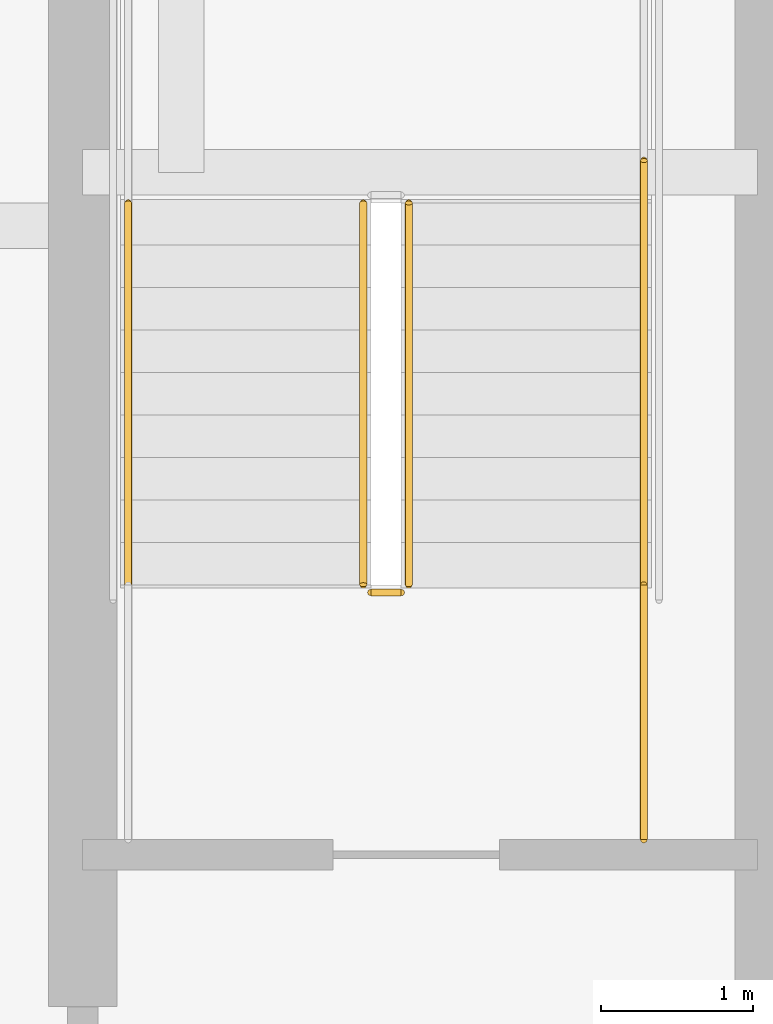
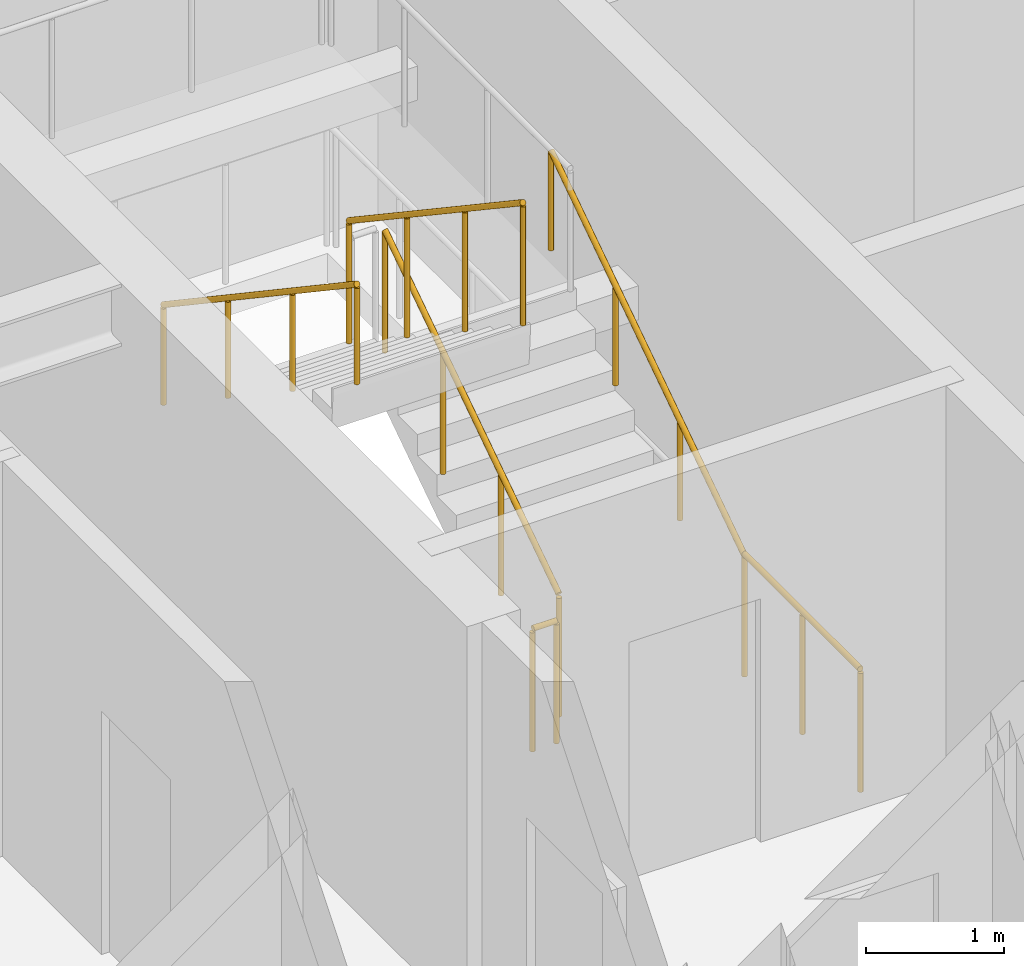
# One storey, part 36 of 41: 6 railings.
"""IFC4 building model written with IfcOpenShell, lengths in metres."""

from ifc_helpers import new_model, si_unit, direction, frame, origin, origin_2d, place, context, subcontext, project, spatial, circle, extrude, material, type_object, element, save


model = new_model("IFC4")

# Units and contexts
model_context = context("Model", 3, precision=1e-05, world=origin(), true_north=direction((0.0, 1.0)))
body_context = subcontext(model_context, "Body", "Model", "MODEL_VIEW")
ifc_project = project(units=[si_unit("LENGTHUNIT", "METRE"), si_unit("AREAUNIT", "SQUARE_METRE"), si_unit("VOLUMEUNIT", "CUBIC_METRE"), si_unit("PLANEANGLEUNIT", "RADIAN"), si_unit("MASSUNIT", "GRAM", prefix="KILO")], contexts=[model_context])

# Site, building, storey
site_placement = place(None, origin())
site = spatial("IfcSite", under=ifc_project, at=site_placement, CompositionType="ELEMENT")
building_placement = place(site_placement, origin())
building = spatial("IfcBuilding", under=site, at=building_placement, Name="Serunith Strait Residences", CompositionType="ELEMENT")
storey_placement = place(building_placement, frame((0.0, 0.0, 45.449951171875)))
storey = spatial("IfcBuildingStorey", under=building, at=storey_placement, Name="L10", CompositionType="ELEMENT", Elevation=45.449951171875)

# Railings
ifc_material = material(Name="Brushed stainless steel 316L", Category="steel")
railing_type_1 = type_object("IfcRailingType", Name="RLG-STAIR-GUARD", PredefinedType="BALUSTRADE", material=ifc_material)
railing_1_placement = place(storey_placement, frame((25.550048828125, 27.030029296875, 0.1875)))
element("IfcRailing", 1, at=railing_1_placement, inside=storey, type_object=railing_type_1, Name="L10 ST-1 stair guard 1", PredefinedType="BALUSTRADE", context=body_context, shape_type="SweptSolid", body=[
    extrude(circle(Radius=0.02392578125, at=origin_2d()), frame((0.0, 0.001708984375, 1.0771484375), z_axis=(0.0, 0.830909170722, 0.55640807867), x_axis=(-1.0, 0.0, 0.0)), (0.0, 0.0, 1.0), 3.02880859375),
    extrude(circle(Radius=0.02099609375, at=origin_2d()), origin(), (0.0, 0.0, 1.0), 1.050048828125),
    extrude(circle(Radius=0.02099609375, at=origin_2d()), frame((0.0, 0.840087890625, 0.5625)), (0.0, 0.0, 1.0), 1.050048828125),
    extrude(circle(Radius=0.02099609375, at=origin_2d()), frame((0.0, 1.679931640625, 1.125)), (0.0, 0.0, 1.0), 1.050048828125),
    extrude(circle(Radius=0.02099609375, at=origin_2d()), frame((0.0, 2.52001953125, 1.6875)), (0.0, 0.0, 1.0), 1.050048828125),
])
railing_2_placement = place(storey_placement, frame((25.25, 29.550048828125, 2.0625)))
element("IfcRailing", 2, at=railing_2_placement, inside=storey, type_object=railing_type_1, Name="L10 ST-1 stair guard 6", PredefinedType="BALUSTRADE", context=body_context, shape_type="SweptSolid", body=[
    extrude(circle(Radius=0.02392578125, at=origin_2d()), frame((0.0, -0.001708984375, 1.0771484375), z_axis=(0.0, -0.830909170722, 0.55640807867), x_axis=(1.0, 0.0, 0.0)), (0.0, 0.0, 1.0), 3.02880859375),
    extrude(circle(Radius=0.02099609375, at=origin_2d()), origin(), (0.0, 0.0, 1.0), 1.050048828125),
    extrude(circle(Radius=0.02099609375, at=origin_2d()), frame((0.0, -0.840087890625, 0.5625)), (0.0, 0.0, 1.0), 1.050048828125),
    extrude(circle(Radius=0.02099609375, at=origin_2d()), frame((0.0, -1.679931640625, 1.125)), (0.0, 0.0, 1.0), 1.050048828125),
    extrude(circle(Radius=0.02099609375, at=origin_2d()), frame((0.0, -2.52001953125, 1.6875)), (0.0, 0.0, 1.0), 1.050048828125),
])
railing_3_placement = place(storey_placement, frame((25.5, 26.97998046875, 0.0)))
element("IfcRailing", 3, at=railing_3_placement, inside=storey, type_object=railing_type_1, Name="L10 ST-1 stair guard 7", PredefinedType="BALUSTRADE", context=body_context, shape_type="SweptSolid", body=[
    extrude(circle(Radius=0.02392578125, at=origin_2d()), frame((-0.001953125, 0.0, 1.076171875), z_axis=(-1.0, 0.0, 0.0), x_axis=(0.0, -1.0, 0.0)), (0.0, 0.0, 1.0), 0.196044921875),
    extrude(circle(Radius=0.02099609375, at=origin_2d()), origin(), (0.0, 0.0, 1.0), 1.050048828125),
    extrude(circle(Radius=0.02099609375, at=origin_2d()), frame((-0.199951171875, 0.0, 0.0)), (0.0, 0.0, 1.0), 1.050048828125),
])
railing_4_placement = place(storey_placement, frame((27.10009765625, 25.35009765625, 0.0)))
element("IfcRailing", 4, at=railing_4_placement, inside=storey, type_object=railing_type_1, Name="L10 ST-1 stair guard 8", PredefinedType="BALUSTRADE", context=body_context, shape_type="SweptSolid", body=[
    extrude(circle(Radius=0.02392578125, at=origin_2d()), frame((0.0, 0.001953125, 1.076171875), z_axis=(0.0, 1.0, 0.0), x_axis=(-1.0, 0.0, 0.0)), (0.0, 0.0, 1.0), 1.676025390625),
    extrude(circle(Radius=0.02099609375, at=origin_2d()), origin(), (0.0, 0.0, 1.0), 1.050048828125),
    extrude(circle(Radius=0.02099609375, at=origin_2d()), frame((0.0, 0.83984375, 0.0)), (0.0, 0.0, 1.0), 1.050048828125),
    extrude(circle(Radius=0.02099609375, at=origin_2d()), frame((0.0, 1.679931640625, 0.0)), (0.0, 0.0, 1.0), 1.050048828125),
])
railing_type_2 = type_object("IfcRailingType", Name="RLG-STAIR-HR", PredefinedType="HANDRAIL", material=ifc_material)
railing_5_placement = place(storey_placement, frame((27.10009765625, 27.030029296875, 0.1875)))
element("IfcRailing", 5, at=railing_5_placement, inside=storey, type_object=railing_type_2, Name="L10 ST-1 stair handrail 1", PredefinedType="HANDRAIL", context=body_context, shape_type="SweptSolid", body=[
    extrude(circle(Radius=0.02392578125, at=origin_2d()), frame((0.0, 0.001708984375, 0.876953125), z_axis=(0.0, 0.830208209119, 0.557453432594), x_axis=(-1.0, 0.0, 0.0)), (0.0, 0.0, 1.0), 3.36865234375),
    extrude(circle(Radius=0.02099609375, at=origin_2d()), origin(), (0.0, 0.0, 1.0), 0.849853515625),
    extrude(circle(Radius=0.02099609375, at=origin_2d()), frame((0.0, 0.933349609375, 0.626708984375)), (0.0, 0.0, 1.0), 0.849853515625),
    extrude(circle(Radius=0.02099609375, at=origin_2d()), frame((0.0, 1.86669921875, 1.25341796875)), (0.0, 0.0, 1.0), 0.849853515625),
    extrude(circle(Radius=0.02099609375, at=origin_2d()), frame((0.0, 2.800048828125, 1.880126953125)), (0.0, 0.0, 1.0), 0.849853515625),
])
railing_6_placement = place(storey_placement, frame((23.699951171875, 29.550048828125, 2.0625)))
element("IfcRailing", 6, at=railing_6_placement, inside=storey, type_object=railing_type_2, Name="L10 ST-1 stair handrail 2", PredefinedType="HANDRAIL", context=body_context, shape_type="SweptSolid", body=[
    extrude(circle(Radius=0.02392578125, at=origin_2d()), frame((0.0, -0.001708984375, 0.876953125), z_axis=(0.0, -0.830208209119, 0.557453432594), x_axis=(1.0, 0.0, 0.0)), (0.0, 0.0, 1.0), 3.36865234375),
    extrude(circle(Radius=0.02099609375, at=origin_2d()), origin(), (0.0, 0.0, 1.0), 0.849853515625),
    extrude(circle(Radius=0.02099609375, at=origin_2d()), frame((0.0, -0.933349609375, 0.626708984375)), (0.0, 0.0, 1.0), 0.849853515625),
    extrude(circle(Radius=0.02099609375, at=origin_2d()), frame((0.0, -1.86669921875, 1.25341796875)), (0.0, 0.0, 1.0), 0.849853515625),
    extrude(circle(Radius=0.02099609375, at=origin_2d()), frame((0.0, -2.800048828125, 1.880126953125)), (0.0, 0.0, 1.0), 0.849853515625),
])

save(model, "model.ifc")
